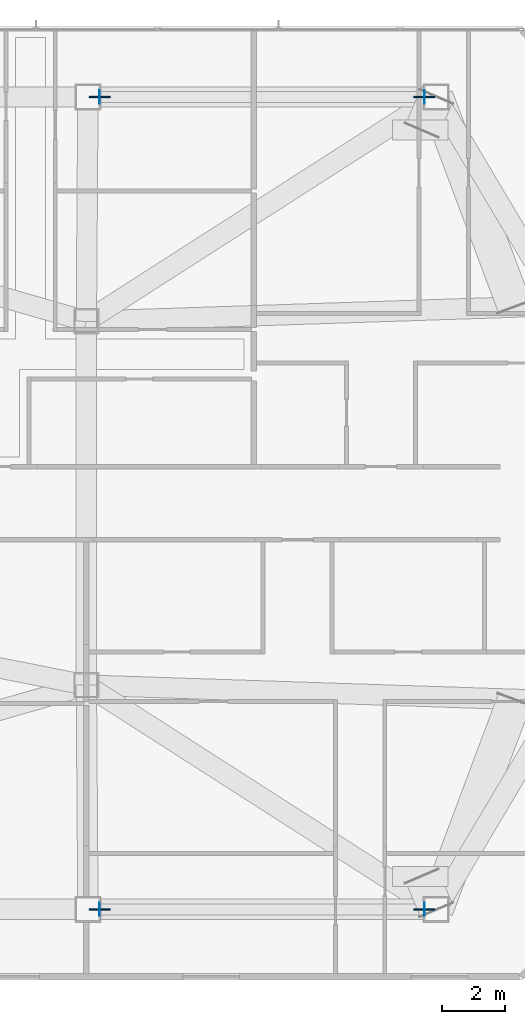
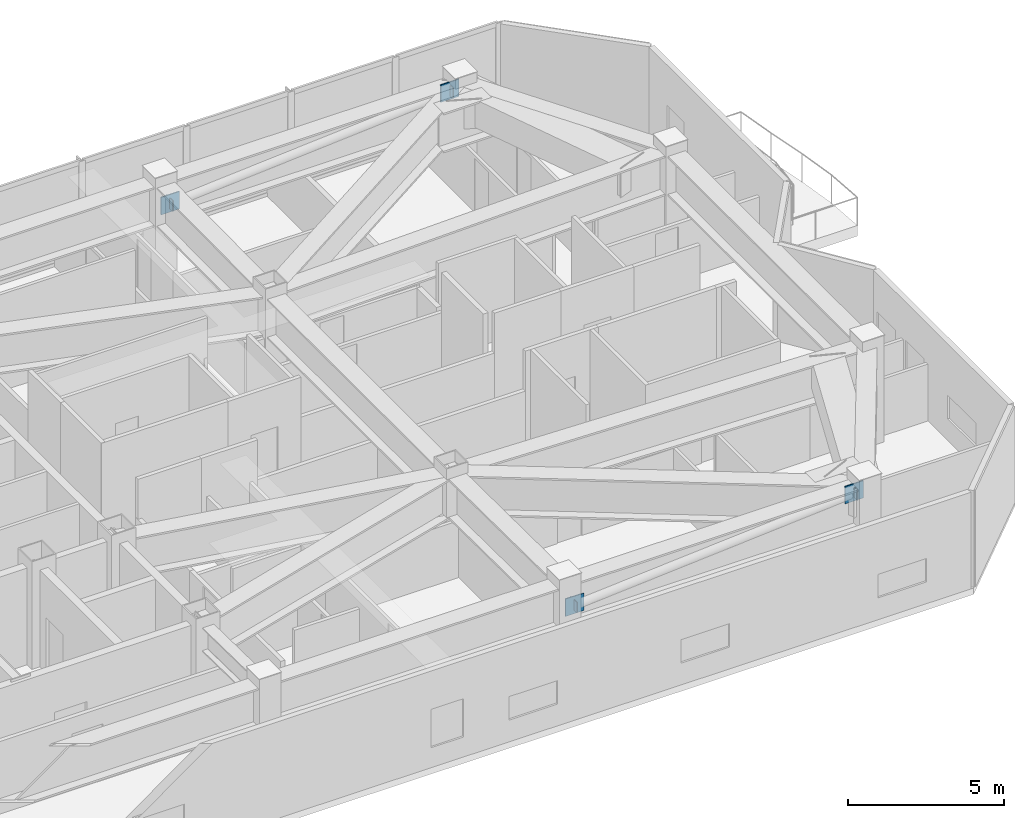
# One storey, part 8 of 16: 8 plates.
"""IFC4 building model written with IfcOpenShell, lengths in metres."""

from ifc_helpers import new_model, si_unit, direction, frame, origin, origin_2d, place, context, subcontext, project, spatial, rectangle, extrude, material, layer, layer_set, type_object, element, save


model = new_model("IFC4")

# Units and contexts
model_context = context("Model", 3, precision=1e-05, world=origin(), true_north=direction((0.0, 1.0)))
body_context = subcontext(model_context, "Body", "Model", "MODEL_VIEW")
ifc_project = project(units=[si_unit("LENGTHUNIT", "METRE"), si_unit("AREAUNIT", "SQUARE_METRE"), si_unit("VOLUMEUNIT", "CUBIC_METRE"), si_unit("PLANEANGLEUNIT", "RADIAN"), si_unit("MASSUNIT", "GRAM", prefix="KILO")], contexts=[model_context])

# Site, building, storey
site_placement = place(None, origin())
site = spatial("IfcSite", under=ifc_project, at=site_placement, CompositionType="ELEMENT")
building_placement = place(site_placement, origin())
building = spatial("IfcBuilding", under=site, at=building_placement, Name="Khamvora Tower", CompositionType="ELEMENT")
storey_placement = place(building_placement, frame((0.0, 0.0, 273.64990234375)))
storey = spatial("IfcBuildingStorey", under=building, at=storey_placement, Name="L70", CompositionType="ELEMENT", Elevation=273.64990234375)

# Plates
ifc_material_1 = material(Name="Steel S355", Category="steel")
ifc_layer_1 = layer(ifc_material_1, 0.02490234375)
ifc_layer_set_1 = layer_set([ifc_layer_1], Name="Steel S355")
plate_type_1 = type_object("IfcPlateType", Name="PL-CAP-25", PredefinedType="SHEET", material=ifc_layer_set_1)
for number, where, z_axis, x_axis, name in (
    (1, (50.9169921875, 15.050048828125, 2.4990234375), (0.0, 0.0, 1.0), (1.0, 0.0, 0.0), "L70 hollow section steel end cap plate 1219"),
    (2, (61.282958984375, 15.050048828125, 3.278076171875), (0.0, 0.0, 1.0), (1.0, 0.0, 0.0), "L70 hollow section steel end cap plate 1220"),
    (3, (50.9169921875, 40.949951171875, 2.4990234375), (0.0, 0.0, 1.0), (1.0, 0.0, 0.0), "L70 hollow section steel end cap plate 1221"),
    (4, (61.282958984375, 40.949951171875, 3.278076171875), (0.0, 0.0, 1.0), (1.0, 0.0, 0.0), "L70 hollow section steel end cap plate 1222"),
):
    element("IfcPlate", number, at=place(storey_placement, frame(where, z_axis=z_axis, x_axis=x_axis)), inside=storey, type_object=plate_type_1, Name=name, PredefinedType="SHEET", context=body_context, shape_type="SweptSolid", body=[
        extrude(rectangle(XDim=0.02490234375, YDim=0.416015625, at=origin_2d()), origin(), (0.0, 0.0, 1.0), 0.416015625),
    ])
ifc_material_2 = material(Name="Steel S460", Category="steel")
ifc_layer_2 = layer(ifc_material_2, 0.0400390625)
ifc_layer_set_2 = layer_set([ifc_layer_2], Name="Steel S460")
plate_type_2 = type_object("IfcPlateType", Name="PLT-GUS-40", PredefinedType="SHEET", material=ifc_layer_set_2)
for number, where, z_axis, x_axis, name in (
    (5, (50.928955078125, 15.050048828125, 2.3681640625), (0.0, 0.0, 1.0), (1.0, 0.0, 0.0), "L70 brace connection node gusset plate 0437"),
    (6, (61.27099609375, 15.050048828125, 3.14501953125), (0.0, 0.0, 1.0), (1.0, 0.0, 0.0), "L70 brace connection node gusset plate 0438"),
    (7, (50.928955078125, 40.949951171875, 2.3681640625), (0.0, 0.0, 1.0), (1.0, 0.0, 0.0), "L70 brace connection node gusset plate 0439"),
    (8, (61.27099609375, 40.949951171875, 3.14501953125), (0.0, 0.0, 1.0), (1.0, 0.0, 0.0), "L70 brace connection node gusset plate 0440"),
):
    element("IfcPlate", number, at=place(storey_placement, frame(where, z_axis=z_axis, x_axis=x_axis)), inside=storey, type_object=plate_type_2, Name=name, PredefinedType="SHEET", context=body_context, shape_type="SweptSolid", body=[
        extrude(rectangle(XDim=0.679931640625, YDim=0.0400390625, at=origin_2d()), origin(), (0.0, 0.0, 1.0), 0.679931640625),
    ])

save(model, "model.ifc")
